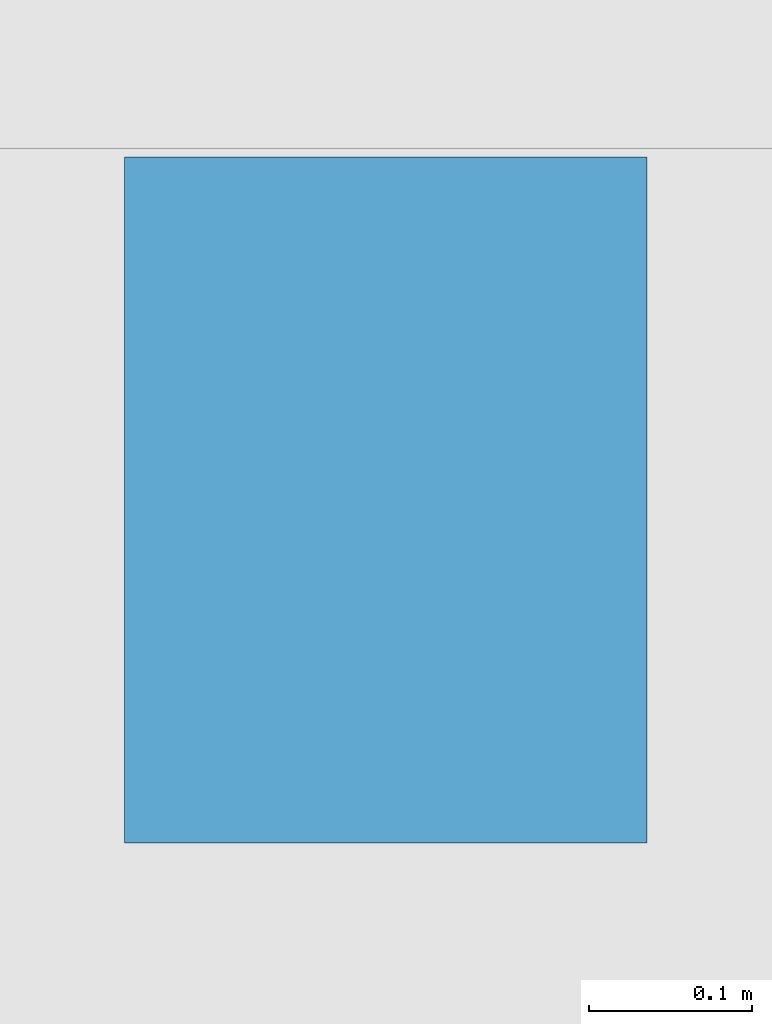
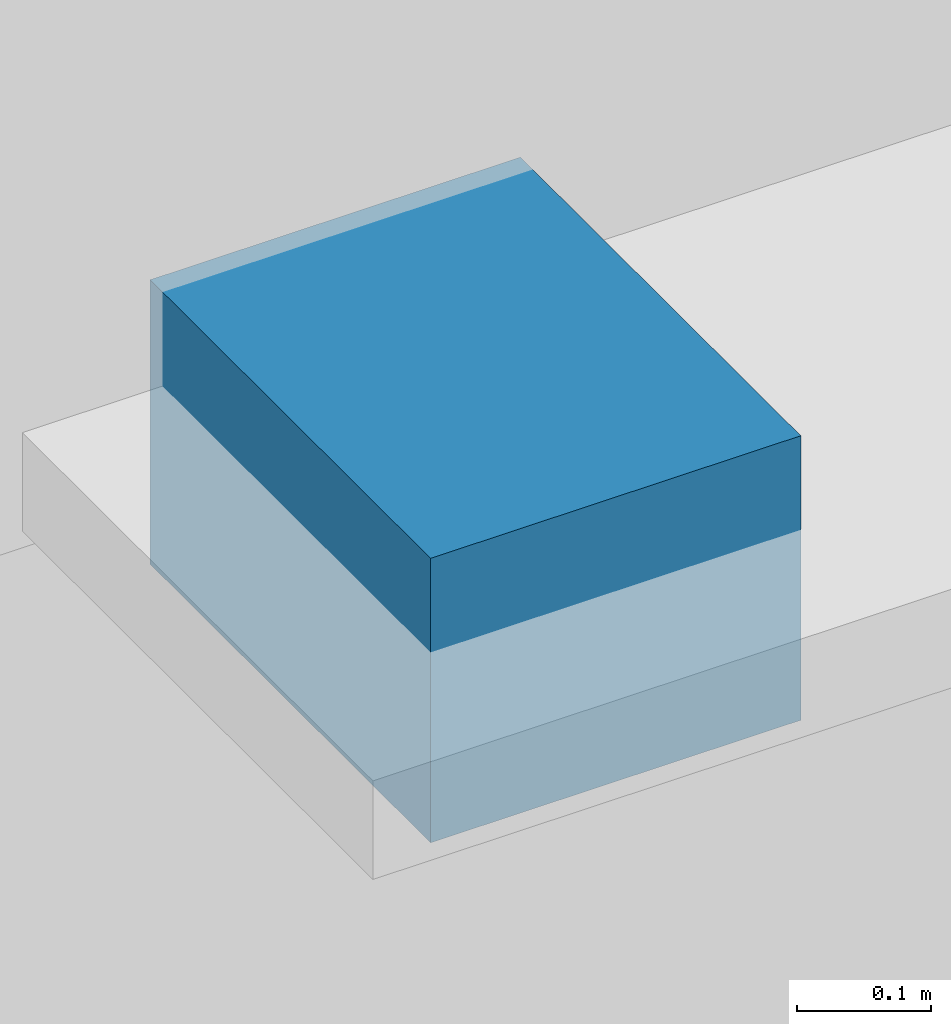
# One storey, part 109 of 123: 1 discrete accessory.
"""IFC4 building model written with IfcOpenShell, lengths in metres."""

from ifc_helpers import new_model, si_unit, direction, frame, origin, origin_2d, place, context, subcontext, project, spatial, rectangle, extrude, material, type_object, element, save


model = new_model("IFC4")

# Units and contexts
model_context = context("Model", 3, precision=1e-05, world=origin(), true_north=direction((0.0, 1.0)))
body_context = subcontext(model_context, "Body", "Model", "MODEL_VIEW")
ifc_project = project(units=[si_unit("LENGTHUNIT", "METRE"), si_unit("AREAUNIT", "SQUARE_METRE"), si_unit("VOLUMEUNIT", "CUBIC_METRE"), si_unit("PLANEANGLEUNIT", "RADIAN"), si_unit("MASSUNIT", "GRAM", prefix="KILO")], contexts=[model_context])

# Site, building, storey
site_placement = place(None, origin())
site = spatial("IfcSite", under=ifc_project, at=site_placement, CompositionType="ELEMENT")
building_placement = place(site_placement, origin())
building = spatial("IfcBuilding", under=site, at=building_placement, Name="Tenunan Teduh Sports Hall", CompositionType="ELEMENT")
storey_placement = place(building_placement, origin())
storey = spatial("IfcBuildingStorey", under=building, at=storey_placement, Name="L00", CompositionType="ELEMENT", Elevation=0.0)

# Discrete accessory
ifc_material = material(Name="Steel S355", Category="steel")
discrete_accessory_type = type_object("IfcDiscreteAccessoryType", Name="BRK-SHD-2", PredefinedType="BRACKET", material=ifc_material)
discrete_accessory_placement = place(storey_placement, frame((132.382080078125, 13.64990234375, 2.93017578125), z_axis=(0.0, 0.0, 1.0), x_axis=(1.0, 0.0, 0.0)))
element("IfcDiscreteAccessory", 1, at=discrete_accessory_placement, inside=storey, type_object=discrete_accessory_type, Name="BRK-L00-001-1", PredefinedType="BRACKET", context=body_context, shape_type="SweptSolid", body=[
    extrude(rectangle(XDim=0.320068359375, YDim=0.419921875, at=origin_2d()), origin(), (0.0, 0.0, 1.0), 0.260009765625),
])

save(model, "model.ifc")
